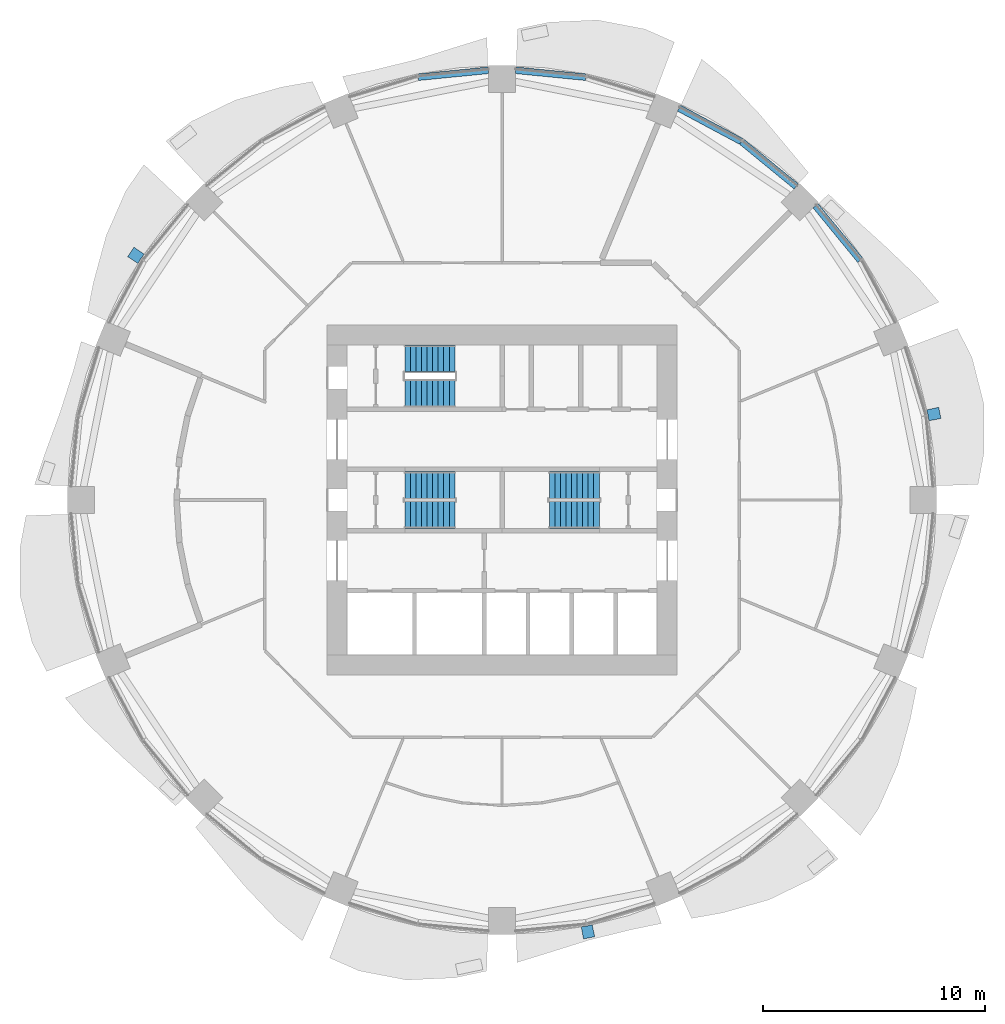
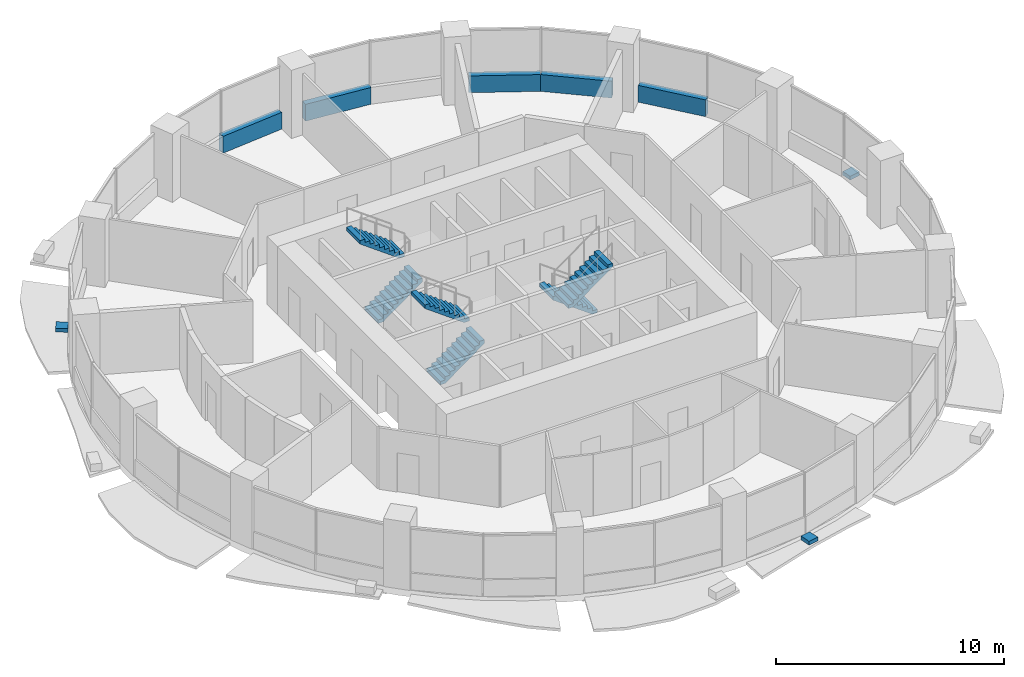
# One storey, part 11 of 15: 6 stair flights, 5 walls, 3 discrete accessories, 3 elements without a shape of their own.
"""IFC4 building model written with IfcOpenShell, lengths in metres."""

from ifc_helpers import new_model, si_unit, direction, frame, frame_2d, origin, place, context, subcontext, project, spatial, polyline, rectangle, outline, extrude, material, layer, layer_set, type_object, element, aggregate, save


model = new_model("IFC4")

# Units and contexts
model_context = context("Model", 3, precision=1e-05, world=origin(), true_north=direction((0.0, 1.0)))
body_context = subcontext(model_context, "Body", "Model", "MODEL_VIEW")
ifc_project = project(units=[si_unit("LENGTHUNIT", "METRE"), si_unit("AREAUNIT", "SQUARE_METRE"), si_unit("VOLUMEUNIT", "CUBIC_METRE"), si_unit("PLANEANGLEUNIT", "RADIAN"), si_unit("MASSUNIT", "GRAM", prefix="KILO")], contexts=[model_context])

# Site, building, storey
site_placement = place(None, origin())
site = spatial("IfcSite", under=ifc_project, at=site_placement, CompositionType="ELEMENT")
building_placement = place(site_placement, origin())
building = spatial("IfcBuilding", under=site, at=building_placement, Name="Polderwave Tower", CompositionType="ELEMENT")
storey_placement = place(building_placement, frame((0.0, 0.0, 62.699951171875)))
storey = spatial("IfcBuildingStorey", under=building, at=storey_placement, Name="L16", CompositionType="ELEMENT", Elevation=62.699951171875)

# Walls
ifc_material_1 = material(Name="Concrete C50/60 (board-marked)", Category="concrete")
ifc_layer = layer(ifc_material_1, 0.300048828125)
ifc_layer_set = layer_set([ifc_layer], Name="Concrete spandrel upstand C50/60")
wall_type = type_object("IfcWallType", Name="Concrete spandrel upstand C50/60", PredefinedType="SOLIDWALL", material=ifc_layer_set)
for number, where, z_axis, x_axis, name in (
    (1, (16.112548828125, 10.78369140625, 0.0), (0.0, 0.0, 1.0), (-0.634164330819, 0.773198293788, 0.0), "Spandrel L16 2b"),
    (2, (13.234375, 14.1025390625, 0.0), (0.0, 0.0, 1.0), (-0.773198293788, 0.634164330819, 0.0), "Spandrel L16 3a"),
):
    element("IfcWall", number, at=place(storey_placement, frame(where, z_axis=z_axis, x_axis=x_axis)), inside=storey, type_object=wall_type, Name=name, PredefinedType="SOLIDWALL", context=body_context, shape_type="SweptSolid", body=[
        extrude(rectangle(XDim=3.16943359375, YDim=0.300048828125, at=frame_2d((1.584716796875, 0.0))), origin(), (0.0, 0.0, 1.0), 0.900146484375),
    ])
wall_placement = place(storey_placement, frame((10.7587890625, 16.129150390625, 0.0), z_axis=(0.0, 0.0, 1.0), x_axis=(-0.882007292685, 0.47123575379, 0.0)))
element("IfcWall", 3, at=wall_placement, inside=storey, type_object=wall_type, Name="Spandrel L16 3b", PredefinedType="SOLIDWALL", context=body_context, shape_type="SweptSolid", body=[
    extrude(rectangle(XDim=3.169677734375, YDim=0.300048828125, at=frame_2d((1.5849609375, 0.0))), origin(), (0.0, 0.0, 1.0), 0.900146484375),
])
for number, where, z_axis, x_axis, name in (
    (4, (3.76806640625, 19.0185546875, 0.0), (0.0, 0.0, 1.0), (-0.995176482603, 0.098100807709, 0.0), "Spandrel L16 4b"),
    (5, (-0.61279296875, 19.32958984375, 0.0), (0.0, 0.0, 1.0), (-0.995176482603, -0.098100807709, 0.0), "Spandrel L16 5a"),
):
    element("IfcWall", number, at=place(storey_placement, frame(where, z_axis=z_axis, x_axis=x_axis)), inside=storey, type_object=wall_type, Name=name, PredefinedType="SOLIDWALL", context=body_context, shape_type="SweptSolid", body=[
        extrude(rectangle(XDim=3.170654296875, YDim=0.300048828125, at=frame_2d((1.58544921875, 0.0))), origin(), (0.0, 0.0, 1.0), 0.900146484375),
    ])

# Stair, stair flights
ifc_material_2 = material(Name="Concrete C40/50", Category="concrete")
stair_type = type_object("IfcStairType", Name="Exit stair 1200 x 20 risers", PredefinedType="HALF_TURN_STAIR", material=ifc_material_2)
stair_1_placement = place(storey_placement, origin())
stair_1 = element("IfcStair", 6, at=stair_1_placement, inside=storey, type_object=stair_type, Name="L16 Exit stair A", PredefinedType="HALF_TURN_STAIR")
stair_flight_type = type_object("IfcStairFlightType", Name="Stair flight 1200", PredefinedType="STRAIGHT", material=ifc_material_2)
stair_flight_1_placement = place(storey_placement, frame((-4.3740234375, -0.675048828125, 0.0), z_axis=(0.0, 0.0, 1.0), x_axis=(1.0, 0.0, 0.0)))
stair_flight_1 = element("IfcStairFlight", 7, at=stair_flight_1_placement, type_object=stair_flight_type, Name="ST-A flight 1", NumberOfRisers=10, NumberOfTreads=9, PredefinedType="STRAIGHT", RiserHeight=0.1825, TreadLength=0.25, context=body_context, shape_type="SweptSolid", body=[
    extrude(outline(polyline([(0.0, 0.0), (0.0, 0.1826171875), (0.25, 0.1826171875), (0.25, 0.364990234375), (0.5, 0.364990234375), (0.5, 0.547607421875), (0.75, 0.547607421875), (0.75, 0.72998046875), (1.0, 0.72998046875), (1.0, 0.91259765625), (1.25, 0.91259765625), (1.25, 1.094970703125), (1.5, 1.094970703125), (1.5, 1.277587890625), (1.75, 1.277587890625), (1.75, 1.4599609375), (2.0, 1.4599609375), (2.0, 1.642578125), (2.25, 1.642578125), (2.25, 1.824951171875), (2.25, 1.456787109375), (0.254150390625, 0.0), (0.0, 0.0)])), frame((0.0, 0.60009765625, 0.0), z_axis=(0.0, -1.0, 0.0), x_axis=(1.0, 0.0, 0.0)), (0.0, 0.0, 1.0), 1.199951171875),
])
stair_flight_2_placement = place(storey_placement, frame((-2.1240234375, 0.675048828125, 1.824951171875), z_axis=(0.0, 0.0, 1.0), x_axis=(-1.0, 0.0, 0.0)))
stair_flight_2 = element("IfcStairFlight", 8, at=stair_flight_2_placement, type_object=stair_flight_type, Name="ST-A flight 2", NumberOfRisers=10, NumberOfTreads=9, PredefinedType="STRAIGHT", RiserHeight=0.1825, TreadLength=0.25, context=body_context, shape_type="SweptSolid", body=[
    extrude(outline(polyline([(0.0, 0.0), (0.0, 0.1826171875), (0.25, 0.1826171875), (0.25, 0.364990234375), (0.5, 0.364990234375), (0.5, 0.547607421875), (0.75, 0.547607421875), (0.75, 0.72998046875), (1.0, 0.72998046875), (1.0, 0.91259765625), (1.25, 0.91259765625), (1.25, 1.094970703125), (1.5, 1.094970703125), (1.5, 1.277587890625), (1.75, 1.277587890625), (1.75, 1.4599609375), (2.0, 1.4599609375), (2.0, 1.642578125), (2.25, 1.642578125), (2.25, 1.824951171875), (2.25, 1.456787109375), (0.254150390625, 0.0), (0.0, 0.0)])), frame((0.0, 0.60009765625, 0.0), z_axis=(0.0, -1.0, 0.0), x_axis=(1.0, 0.0, 0.0)), (0.0, 0.0, 1.0), 1.199951171875),
])
aggregate(stair_1, [stair_flight_1, stair_flight_2])

stair_2_placement = place(storey_placement, origin())
stair_2 = element("IfcStair", 9, at=stair_2_placement, inside=storey, type_object=stair_type, Name="L16 Exit stair B", PredefinedType="HALF_TURN_STAIR")
stair_flight_3_placement = place(storey_placement, frame((4.3740234375, 0.675048828125, 0.0), z_axis=(0.0, 0.0, 1.0), x_axis=(-1.0, 0.0, 0.0)))
stair_flight_3 = element("IfcStairFlight", 10, at=stair_flight_3_placement, type_object=stair_flight_type, Name="ST-B flight 1", NumberOfRisers=10, NumberOfTreads=9, PredefinedType="STRAIGHT", RiserHeight=0.1825, TreadLength=0.25, context=body_context, shape_type="SweptSolid", body=[
    extrude(outline(polyline([(0.0, 0.0), (0.0, 0.1826171875), (0.25, 0.1826171875), (0.25, 0.364990234375), (0.5, 0.364990234375), (0.5, 0.547607421875), (0.75, 0.547607421875), (0.75, 0.72998046875), (1.0, 0.72998046875), (1.0, 0.91259765625), (1.25, 0.91259765625), (1.25, 1.094970703125), (1.5, 1.094970703125), (1.5, 1.277587890625), (1.75, 1.277587890625), (1.75, 1.4599609375), (2.0, 1.4599609375), (2.0, 1.642578125), (2.25, 1.642578125), (2.25, 1.824951171875), (2.25, 1.456787109375), (0.254150390625, 0.0), (0.0, 0.0)])), frame((0.0, 0.60009765625, 0.0), z_axis=(0.0, -1.0, 0.0), x_axis=(1.0, 0.0, 0.0)), (0.0, 0.0, 1.0), 1.199951171875),
])
stair_flight_4_placement = place(storey_placement, frame((2.1240234375, -0.675048828125, 1.824951171875), z_axis=(0.0, 0.0, 1.0), x_axis=(1.0, 0.0, 0.0)))
stair_flight_4 = element("IfcStairFlight", 11, at=stair_flight_4_placement, type_object=stair_flight_type, Name="ST-B flight 2", NumberOfRisers=10, NumberOfTreads=9, PredefinedType="STRAIGHT", RiserHeight=0.1825, TreadLength=0.25, context=body_context, shape_type="SweptSolid", body=[
    extrude(outline(polyline([(0.0, 0.0), (0.0, 0.1826171875), (0.25, 0.1826171875), (0.25, 0.364990234375), (0.5, 0.364990234375), (0.5, 0.547607421875), (0.75, 0.547607421875), (0.75, 0.72998046875), (1.0, 0.72998046875), (1.0, 0.91259765625), (1.25, 0.91259765625), (1.25, 1.094970703125), (1.5, 1.094970703125), (1.5, 1.277587890625), (1.75, 1.277587890625), (1.75, 1.4599609375), (2.0, 1.4599609375), (2.0, 1.642578125), (2.25, 1.642578125), (2.25, 1.824951171875), (2.25, 1.456787109375), (0.254150390625, 0.0), (0.0, 0.0)])), frame((0.0, 0.60009765625, 0.0), z_axis=(0.0, -1.0, 0.0), x_axis=(1.0, 0.0, 0.0)), (0.0, 0.0, 1.0), 1.199951171875),
])
aggregate(stair_2, [stair_flight_3, stair_flight_4])

stair_3_placement = place(storey_placement, origin())
stair_3 = element("IfcStair", 12, at=stair_3_placement, inside=storey, type_object=stair_type, Name="L16 Exit stair C", PredefinedType="HALF_TURN_STAIR")
stair_flight_5_placement = place(storey_placement, frame((-4.3740234375, 4.77392578125, 0.0), z_axis=(0.0, 0.0, 1.0), x_axis=(1.0, 0.0, 0.0)))
stair_flight_5 = element("IfcStairFlight", 13, at=stair_flight_5_placement, type_object=stair_flight_type, Name="ST-C flight 1", NumberOfRisers=10, NumberOfTreads=9, PredefinedType="STRAIGHT", RiserHeight=0.1825, TreadLength=0.25, context=body_context, shape_type="SweptSolid", body=[
    extrude(outline(polyline([(0.0, 0.0), (0.0, 0.1826171875), (0.25, 0.1826171875), (0.25, 0.364990234375), (0.5, 0.364990234375), (0.5, 0.547607421875), (0.75, 0.547607421875), (0.75, 0.72998046875), (1.0, 0.72998046875), (1.0, 0.91259765625), (1.25, 0.91259765625), (1.25, 1.094970703125), (1.5, 1.094970703125), (1.5, 1.277587890625), (1.75, 1.277587890625), (1.75, 1.4599609375), (2.0, 1.4599609375), (2.0, 1.642578125), (2.25, 1.642578125), (2.25, 1.824951171875), (2.25, 1.456787109375), (0.254150390625, 0.0), (0.0, 0.0)])), frame((0.0, 0.60009765625, 0.0), z_axis=(0.0, -1.0, 0.0), x_axis=(1.0, 0.0, 0.0)), (0.0, 0.0, 1.0), 1.199951171875),
])
stair_flight_6_placement = place(storey_placement, frame((-2.1240234375, 6.3740234375, 1.824951171875), z_axis=(0.0, 0.0, 1.0), x_axis=(-1.0, 0.0, 0.0)))
stair_flight_6 = element("IfcStairFlight", 14, at=stair_flight_6_placement, type_object=stair_flight_type, Name="ST-C flight 2", NumberOfRisers=10, NumberOfTreads=9, PredefinedType="STRAIGHT", RiserHeight=0.1825, TreadLength=0.25, context=body_context, shape_type="SweptSolid", body=[
    extrude(outline(polyline([(0.0, 0.0), (0.0, 0.1826171875), (0.25, 0.1826171875), (0.25, 0.364990234375), (0.5, 0.364990234375), (0.5, 0.547607421875), (0.75, 0.547607421875), (0.75, 0.72998046875), (1.0, 0.72998046875), (1.0, 0.91259765625), (1.25, 0.91259765625), (1.25, 1.094970703125), (1.5, 1.094970703125), (1.5, 1.277587890625), (1.75, 1.277587890625), (1.75, 1.4599609375), (2.0, 1.4599609375), (2.0, 1.642578125), (2.25, 1.642578125), (2.25, 1.824951171875), (2.25, 1.456787109375), (0.254150390625, 0.0), (0.0, 0.0)])), frame((0.0, 0.60009765625, 0.0), z_axis=(0.0, -1.0, 0.0), x_axis=(1.0, 0.0, 0.0)), (0.0, 0.0, 1.0), 1.199951171875),
])
aggregate(stair_3, [stair_flight_5, stair_flight_6])

# Discrete accessories
ifc_material_3 = material(Name="Steel S355", Category="steel")
discrete_accessory_type = type_object("IfcDiscreteAccessoryType", Name="Band bracket pad", PredefinedType="BRACKET", material=ifc_material_3)
discrete_accessory_1_placement = place(storey_placement, frame((0.0, 0.0, -0.199951171875)))
element("IfcDiscreteAccessory", 15, at=discrete_accessory_1_placement, inside=storey, type_object=discrete_accessory_type, Name="Band bracket L16 1", PredefinedType="BRACKET", context=body_context, shape_type="SweptSolid", body=[
    extrude(outline(polyline([(19.201171875, 3.564697265625), (19.16455078125, 3.81201171875), (19.103759765625, 4.0546875), (19.641845703125, 4.168701171875), (19.741943359375, 3.665283203125), (19.201171875, 3.564697265625)])), origin(), (0.0, 0.0, 1.0), 0.199951171875),
])
discrete_accessory_2_placement = place(storey_placement, frame((0.0, 0.0, -0.199951171875)))
element("IfcDiscreteAccessory", 16, at=discrete_accessory_2_placement, inside=storey, type_object=discrete_accessory_type, Name="Band bracket L16 7", PredefinedType="BRACKET", context=body_context, shape_type="SweptSolid", body=[
    extrude(outline(polyline([(-16.097900390625, 11.056640625), (-16.246826171875, 10.855712890625), (-16.37548828125, 10.641357421875), (-16.836669921875, 10.941162109375), (-16.551513671875, 11.367919921875), (-16.097900390625, 11.056640625)])), origin(), (0.0, 0.0, 1.0), 0.199951171875),
])
discrete_accessory_3_placement = place(storey_placement, frame((0.0, 0.0, -0.199951171875)))
element("IfcDiscreteAccessory", 17, at=discrete_accessory_3_placement, inside=storey, type_object=discrete_accessory_type, Name="Band bracket L16 13", PredefinedType="BRACKET", context=body_context, shape_type="SweptSolid", body=[
    extrude(outline(polyline([(3.564697265625, -19.201171875), (3.81201171875, -19.16455078125), (4.0546875, -19.103759765625), (4.168701171875, -19.641845703125), (3.665283203125, -19.741943359375), (3.564697265625, -19.201171875)])), origin(), (0.0, 0.0, 1.0), 0.199951171875),
])

save(model, "model.ifc")
